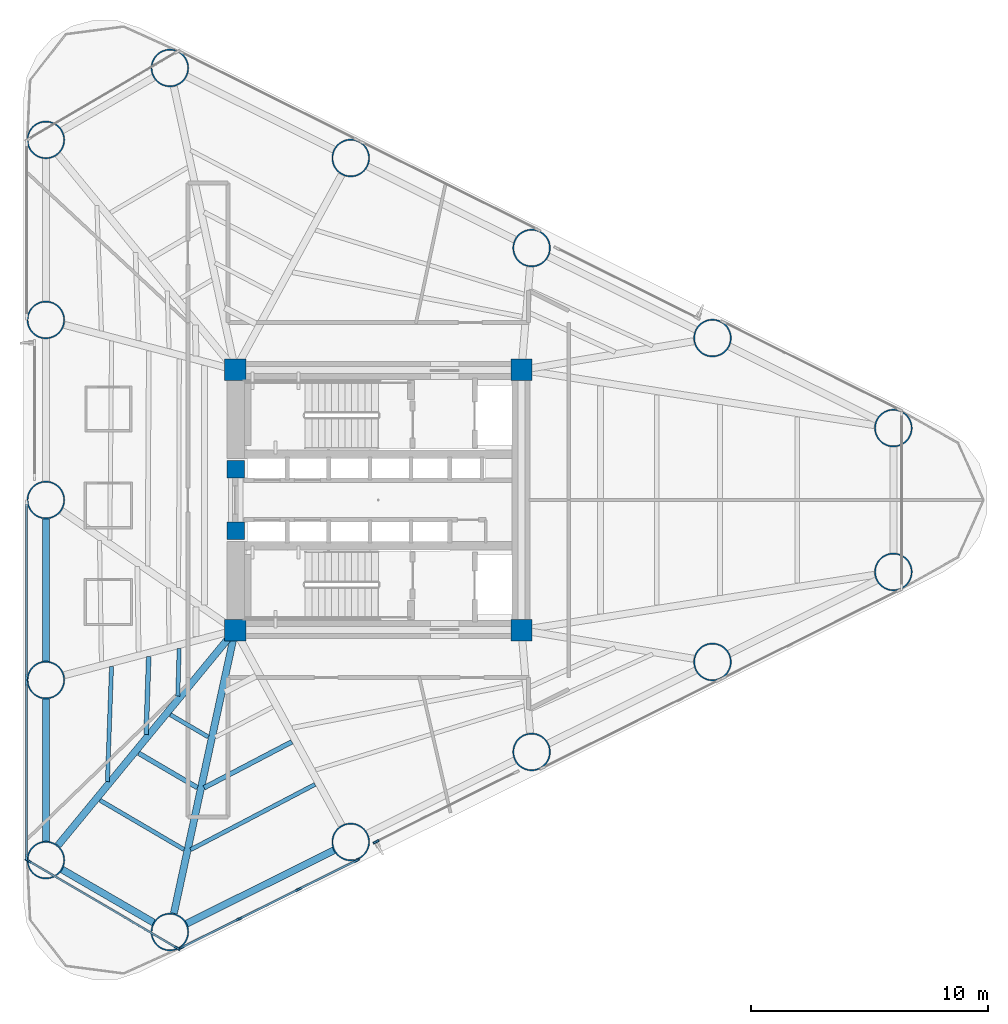
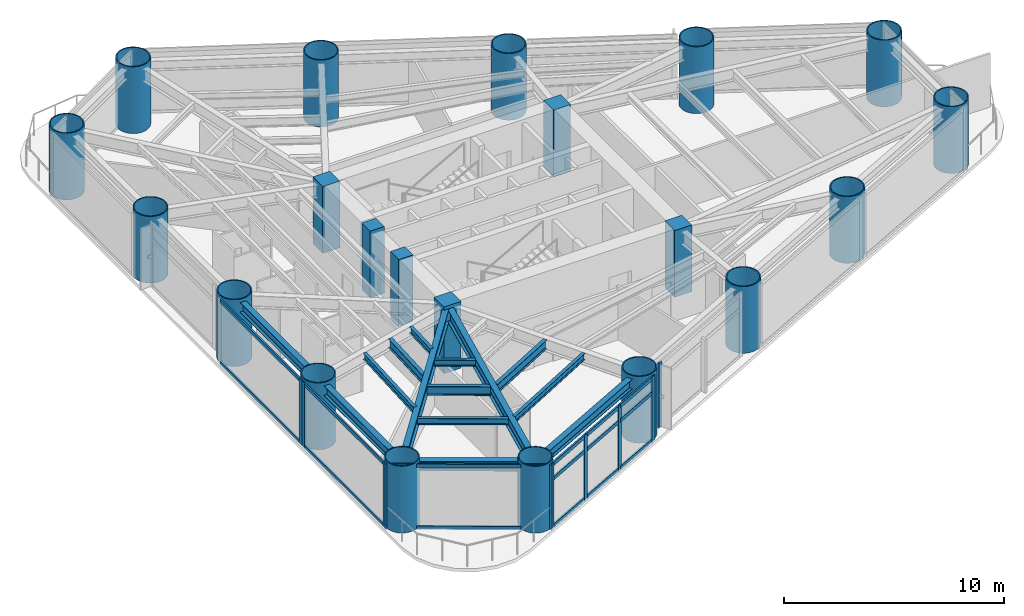
# One storey, part 1 of 10: 25 members, 21 columns, 14 beams, 5 elements without a shape of their own.
"""IFC4 building model written with IfcOpenShell, lengths in metres."""

from ifc_helpers import new_model, si_unit, direction, frame, origin, origin_2d, place, context, subcontext, project, spatial, rectangle, hollow_circle, i_section, extrude, source, transform, mapped, material, layer, layer_set, material_profile, profile_set, type_object, element, aggregate, save


model = new_model("IFC4")

# Units and contexts
model_context = context("Model", 3, precision=1e-05, world=origin(), true_north=direction((0.0, 1.0)))
body_context = subcontext(model_context, "Body", "Model", "MODEL_VIEW")
ifc_project = project(units=[si_unit("LENGTHUNIT", "METRE"), si_unit("AREAUNIT", "SQUARE_METRE"), si_unit("VOLUMEUNIT", "CUBIC_METRE"), si_unit("PLANEANGLEUNIT", "RADIAN"), si_unit("MASSUNIT", "GRAM", prefix="KILO")], contexts=[model_context])

# Site, building, storey
site_placement = place(None, origin())
site = spatial("IfcSite", under=ifc_project, at=site_placement, CompositionType="ELEMENT")
building_placement = place(site_placement, origin())
building = spatial("IfcBuilding", under=site, at=building_placement, Name="Yunling Apex Tower", CompositionType="ELEMENT")
storey_placement = place(building_placement, frame((0.0, 0.0, 27.5)))
storey = spatial("IfcBuildingStorey", under=building, at=storey_placement, Name="L08", CompositionType="ELEMENT", Elevation=27.5)

# Columns
ifc_material_1 = material(Name="Concrete C60", Category="concrete")
ifc_material_profile_1 = material_profile(ifc_material_1, rectangle(XDim=0.89990234375, YDim=0.89990234375, at=origin_2d()))
ifc_profile_set_1 = profile_set([ifc_material_profile_1], Name="Concrete C60")
column_type_1 = type_object("IfcColumnType", Name="PC-SRC-3", PredefinedType="COLUMN", material=ifc_profile_set_1)
shared_shape_1 = source(origin(), body_context, "Body", "SweptSolid", [
    extrude(rectangle(XDim=0.89990234375, YDim=0.89990234375, at=origin_2d()), origin(), (0.0, 0.0, 1.0), 3.699951171875),
])
for number, where, z_axis, x_axis, name in (
    (1, (-6.050048828125, -5.5, 0.0), (0.0, 0.0, 1.0), (1.0, 0.0, 0.0), "L08 Core Spine Column CC-SW"),
    (2, (6.050048828125, -5.5, 0.0), (0.0, 0.0, 1.0), (1.0, 0.0, 0.0), "L08 Core Spine Column CC-SE"),
    (3, (6.050048828125, 5.5, 0.0), (0.0, 0.0, 1.0), (1.0, 0.0, 0.0), "L08 Core Spine Column CC-NE"),
    (4, (-6.050048828125, 5.5, 0.0), (0.0, 0.0, 1.0), (1.0, 0.0, 0.0), "L08 Core Spine Column CC-NW"),
):
    element("IfcColumn", number, at=place(storey_placement, frame(where, z_axis=z_axis, x_axis=x_axis)), inside=storey, type_object=column_type_1, Name=name, PredefinedType="COLUMN", context=body_context, shape_type="MappedRepresentation", body=[
        mapped(shared_shape_1, transform((0.0, 0.0, 0.0), scale=1.0)),
    ])
ifc_material_2 = material(Name="Concrete C50", Category="concrete")
ifc_material_profile_2 = material_profile(ifc_material_2, rectangle(XDim=0.75, YDim=0.75, at=origin_2d()))
ifc_profile_set_2 = profile_set([ifc_material_profile_2], Name="Concrete C50")
column_type_2 = type_object("IfcColumnType", Name="PC-SRC-4", PredefinedType="COLUMN", material=ifc_profile_set_2)
shared_shape_2 = source(origin(), body_context, "Body", "SweptSolid", [
    extrude(rectangle(XDim=0.75, YDim=0.75, at=origin_2d()), origin(), (0.0, 0.0, 1.0), 3.699951171875),
])
for number, where, z_axis, x_axis, name in (
    (5, (-6.02490234375, -1.300048828125, 0.0), (0.0, 0.0, 1.0), (1.0, 0.0, 0.0), "L08 Core West Portal Jamb Column S"),
    (6, (-6.02490234375, 1.300048828125, 0.0), (0.0, 0.0, 1.0), (1.0, 0.0, 0.0), "L08 Core West Portal Jamb Column N"),
):
    element("IfcColumn", number, at=place(storey_placement, frame(where, z_axis=z_axis, x_axis=x_axis)), inside=storey, type_object=column_type_2, Name=name, PredefinedType="COLUMN", context=body_context, shape_type="MappedRepresentation", body=[
        mapped(shared_shape_2, transform((0.0, 0.0, 0.0), scale=1.0)),
    ])
ifc_material_3 = material(Name="Steel Q390GJC", Category="steel")
ifc_material_profile_3 = material_profile(ifc_material_3, hollow_circle(Radius=0.800048828125, WallThickness=0.054931640625, at=origin_2d()))
ifc_profile_set_3 = profile_set([ifc_material_profile_3], Name="Steel Q390GJC")
column_type_3 = type_object("IfcColumnType", Name="MC-CFST-1", PredefinedType="COLUMN", material=ifc_profile_set_3)
shared_shape_3 = source(origin(), body_context, "Body", "SweptSolid", [
    extrude(hollow_circle(Radius=0.800048828125, WallThickness=0.054931640625, at=origin_2d()), origin(), (0.0, 0.0, 1.0), 3.699951171875),
])
for number, where, z_axis, x_axis, name in (
    (7, (-8.8115234375, -18.2578125, 0.0), (0.0, 0.0, 1.0), (1.0, 0.0, 0.0), "L08 Perimeter CFST Mega-Column P01"),
    (8, (-1.1669921875, -14.453125, 0.0), (0.0, 0.0, 1.0), (1.0, 0.0, 0.0), "L08 Perimeter CFST Mega-Column P02"),
    (9, (6.477294921875, -10.648193359375, 0.0), (0.0, 0.0, 1.0), (1.0, 0.0, 0.0), "L08 Perimeter CFST Mega-Column P03"),
    (10, (14.121826171875, -6.843505859375, 0.0), (0.0, 0.0, 1.0), (1.0, 0.0, 0.0), "L08 Perimeter CFST Mega-Column P04"),
    (11, (21.76611328125, -3.038818359375, 0.0), (0.0, 0.0, 1.0), (1.0, 0.0, 0.0), "L08 Perimeter CFST Mega-Column P05"),
    (12, (21.76611328125, 3.038818359375, 0.0), (0.0, 0.0, 1.0), (1.0, 0.0, 0.0), "L08 Perimeter CFST Mega-Column P06"),
    (13, (14.121826171875, 6.843505859375, 0.0), (0.0, 0.0, 1.0), (1.0, 0.0, 0.0), "L08 Perimeter CFST Mega-Column P07"),
    (14, (6.477294921875, 10.648193359375, 0.0), (0.0, 0.0, 1.0), (1.0, 0.0, 0.0), "L08 Perimeter CFST Mega-Column P08"),
    (15, (-1.1669921875, 14.453125, 0.0), (0.0, 0.0, 1.0), (1.0, 0.0, 0.0), "L08 Perimeter CFST Mega-Column P09"),
    (16, (-8.8115234375, 18.2578125, 0.0), (0.0, 0.0, 1.0), (1.0, 0.0, 0.0), "L08 Perimeter CFST Mega-Column P10"),
    (17, (-14.052001953125, 15.218994140625, 0.0), (0.0, 0.0, 1.0), (1.0, 0.0, 0.0), "L08 Perimeter CFST Mega-Column P11"),
    (18, (-14.052001953125, 7.609619140625, 0.0), (0.0, 0.0, 1.0), (1.0, 0.0, 0.0), "L08 Perimeter CFST Mega-Column P12"),
    (19, (-14.052001953125, 0.0, 0.0), (0.0, 0.0, 1.0), (1.0, 0.0, 0.0), "L08 Perimeter CFST Mega-Column P13"),
    (20, (-14.052001953125, -7.609619140625, 0.0), (0.0, 0.0, 1.0), (1.0, 0.0, 0.0), "L08 Perimeter CFST Mega-Column P14"),
    (21, (-14.052001953125, -15.218994140625, 0.0), (0.0, 0.0, 1.0), (1.0, 0.0, 0.0), "L08 Perimeter CFST Mega-Column P15"),
):
    element("IfcColumn", number, at=place(storey_placement, frame(where, z_axis=z_axis, x_axis=x_axis)), inside=storey, type_object=column_type_3, Name=name, PredefinedType="COLUMN", context=body_context, shape_type="MappedRepresentation", body=[
        mapped(shared_shape_3, transform((0.0, 0.0, 0.0), scale=1.0)),
    ])

# Beams
ifc_material_4 = material(Name="Steel Q355B", Category="steel")
ifc_material_profile_4 = material_profile(ifc_material_4, i_section(OverallWidth=0.300048828125, OverallDepth=0.5400390625, WebThickness=0.011962890625, FlangeThickness=0.02001953125, FilletRadius=0.02392578125, at=origin_2d()))
ifc_profile_set_4 = profile_set([ifc_material_profile_4], Name="Steel Q355B")
beam_type_1 = type_object("IfcBeamType", Name="BP-SPN-1", PredefinedType="SPANDREL", material=ifc_profile_set_4)
shared_shape_4 = source(origin(), body_context, "Body", "SweptSolid", [
    extrude(i_section(OverallWidth=0.300048828125, OverallDepth=0.5400390625, WebThickness=0.011962890625, FlangeThickness=0.02001953125, FilletRadius=0.02392578125, at=origin_2d()), origin(), (0.0, 0.0, 1.0), 6.950927734375),
])
beam_1_placement = place(storey_placement, frame((-8.1005859375, -17.904052734375, 3.2451171875), z_axis=(0.89524058306, 0.445583099368, 0.0), x_axis=(-0.445583099368, 0.89524058306, 0.0)))
element("IfcBeam", 22, at=beam_1_placement, inside=storey, type_object=beam_type_1, Name="L08 Perimeter Spandrel Beam 1", PredefinedType="SPANDREL", context=body_context, shape_type="MappedRepresentation", body=[
    mapped(shared_shape_4, transform((0.0, 0.0, 0.0), scale=1.0)),
])
shared_shape_5 = source(origin(), body_context, "Body", "SweptSolid", [
    extrude(i_section(OverallWidth=0.300048828125, OverallDepth=0.5400390625, WebThickness=0.011962890625, FlangeThickness=0.02001953125, FilletRadius=0.02392578125, at=origin_2d()), origin(), (0.0, 0.0, 1.0), 4.469970703125),
])
beam_2_placement = place(storey_placement, frame((-13.364990234375, -15.6171875, 3.2451171875), z_axis=(0.865055841155, -0.501675584102, 0.0), x_axis=(0.501675584102, 0.865055841155, 0.0)))
element("IfcBeam", 23, at=beam_2_placement, inside=storey, type_object=beam_type_1, Name="L08 Perimeter Spandrel Beam 15", PredefinedType="SPANDREL", context=body_context, shape_type="MappedRepresentation", body=[
    mapped(shared_shape_5, transform((0.0, 0.0, 0.0), scale=1.0)),
])
shared_shape_6 = source(origin(), body_context, "Body", "SweptSolid", [
    extrude(i_section(OverallWidth=0.300048828125, OverallDepth=0.5400390625, WebThickness=0.011962890625, FlangeThickness=0.02001953125, FilletRadius=0.02392578125, at=origin_2d()), origin(), (0.0, 0.0, 1.0), 6.021240234375),
])
beam_3_placement = place(storey_placement, frame((-14.052001953125, -8.403564453125, 3.2451171875), z_axis=(0.0, -1.0, 0.0), x_axis=(1.0, 0.0, 0.0)))
element("IfcBeam", 24, at=beam_3_placement, inside=storey, type_object=beam_type_1, Name="L08 Perimeter Spandrel Beam 14", PredefinedType="SPANDREL", context=body_context, shape_type="MappedRepresentation", body=[
    mapped(shared_shape_6, transform((0.0, 0.0, 0.0), scale=1.0)),
])
shared_shape_7 = source(origin(), body_context, "Body", "SweptSolid", [
    extrude(i_section(OverallWidth=0.300048828125, OverallDepth=0.5400390625, WebThickness=0.011962890625, FlangeThickness=0.02001953125, FilletRadius=0.02392578125, at=origin_2d()), origin(), (0.0, 0.0, 1.0), 6.021484375),
])
beam_4_placement = place(storey_placement, frame((-14.052001953125, -0.7939453125, 3.2451171875), z_axis=(0.0, -1.0, 0.0), x_axis=(1.0, 0.0, 0.0)))
element("IfcBeam", 25, at=beam_4_placement, inside=storey, type_object=beam_type_1, Name="L08 Perimeter Spandrel Beam 13", PredefinedType="SPANDREL", context=body_context, shape_type="MappedRepresentation", body=[
    mapped(shared_shape_7, transform((0.0, 0.0, 0.0), scale=1.0)),
])
ifc_material_profile_5 = material_profile(ifc_material_4, i_section(OverallWidth=0.300048828125, OverallDepth=0.699951171875, WebThickness=0.012939453125, FlangeThickness=0.02392578125, FilletRadius=0.02587890625, at=origin_2d()))
ifc_profile_set_5 = profile_set([ifc_material_profile_5], Name="Steel Q355B")
beam_type_2 = type_object("IfcBeamType", Name="BG-PRI-3", PredefinedType="USERDEFINED", material=ifc_profile_set_5)
shared_shape_8 = source(origin(), body_context, "Body", "SweptSolid", [
    extrude(i_section(OverallWidth=0.300048828125, OverallDepth=0.699951171875, WebThickness=0.012939453125, FlangeThickness=0.02392578125, FilletRadius=0.02587890625, at=origin_2d()), origin(), (0.0, 0.0, 1.0), 12.165283203125),
])
beam_5_placement = place(storey_placement, frame((-8.640625, -17.468017578125, 3.1650390625), z_axis=(0.2115638914, 0.977364169517, 0.0), x_axis=(-0.977364169517, 0.2115638914, 0.0)))
element("IfcBeam", 26, at=beam_5_placement, inside=storey, type_object=beam_type_2, Name="L08 Radial Primary Girder R01", ObjectType="GIRDER", PredefinedType="USERDEFINED", context=body_context, shape_type="MappedRepresentation", body=[
    mapped(shared_shape_8, transform((0.0, 0.0, 0.0), scale=1.0)),
])
shared_shape_9 = source(origin(), body_context, "Body", "SweptSolid", [
    extrude(i_section(OverallWidth=0.300048828125, OverallDepth=0.699951171875, WebThickness=0.012939453125, FlangeThickness=0.02392578125, FilletRadius=0.02587890625, at=origin_2d()), origin(), (0.0, 0.0, 1.0), 11.701171875),
])
beam_6_placement = place(storey_placement, frame((-13.538330078125, -14.59521484375, 3.1650390625), z_axis=(0.635615100524, 0.772006116547, 0.0), x_axis=(-0.772006116547, 0.635615100524, 0.0)))
element("IfcBeam", 27, at=beam_6_placement, inside=storey, type_object=beam_type_2, Name="L08 Radial Primary Girder R15", ObjectType="GIRDER", PredefinedType="USERDEFINED", context=body_context, shape_type="MappedRepresentation", body=[
    mapped(shared_shape_9, transform((0.0, 0.0, 0.0), scale=1.0)),
])
ifc_material_profile_6 = material_profile(ifc_material_4, i_section(OverallWidth=0.199951171875, OverallDepth=0.5, WebThickness=0.010009765625, FlangeThickness=0.01611328125, FilletRadius=0.02001953125, at=origin_2d()))
ifc_profile_set_6 = profile_set([ifc_material_profile_6], Name="Steel Q355B")
beam_type_3 = type_object("IfcBeamType", Name="BS-SEC-2", PredefinedType="BEAM", material=ifc_profile_set_6)
shared_shape_10 = source(origin(), body_context, "Body", "SweptSolid", [
    extrude(i_section(OverallWidth=0.199951171875, OverallDepth=0.5, WebThickness=0.010009765625, FlangeThickness=0.01611328125, FilletRadius=0.02001953125, at=origin_2d()), origin(), (0.0, 0.0, 1.0), 4.186279296875),
])
beam_7_placement = place(storey_placement, frame((-7.366455078125, -12.162353515625, 3.264892578125), z_axis=(0.886028927656, 0.463629959512, 0.0), x_axis=(-0.463629959512, 0.886028927656, 0.0)))
element("IfcBeam", 28, at=beam_7_placement, inside=storey, type_object=beam_type_3, Name="L08 Composite Floor Beam BS-1", PredefinedType="BEAM", context=body_context, shape_type="MappedRepresentation", body=[
    mapped(shared_shape_10, transform((0.0, 0.0, 0.0), scale=1.0)),
])
ifc_material_profile_7 = material_profile(ifc_material_4, i_section(OverallWidth=0.175048828125, OverallDepth=0.35009765625, WebThickness=0.007080078125, FlangeThickness=0.010986328125, FilletRadius=0.013916015625, at=origin_2d()))
ifc_profile_set_7 = profile_set([ifc_material_profile_7], Name="Steel Q355B")
beam_type_4 = type_object("IfcBeamType", Name="BJ-JST-1", PredefinedType="JOIST", material=ifc_profile_set_7)
shared_shape_11 = source(origin(), body_context, "Body", "SweptSolid", [
    extrude(i_section(OverallWidth=0.175048828125, OverallDepth=0.35009765625, WebThickness=0.007080078125, FlangeThickness=0.010986328125, FilletRadius=0.013916015625, at=origin_2d()), origin(), (0.0, 0.0, 1.0), 5.935791015625),
])
beam_8_placement = place(storey_placement, frame((-7.9326171875, -14.778076171875, 3.340087890625), z_axis=(0.885494794786, 0.464649296144, 0.0), x_axis=(-0.464649296144, 0.885494794786, 0.0)))
element("IfcBeam", 29, at=beam_8_placement, inside=storey, type_object=beam_type_4, Name="L08 Composite Floor Joist BJ1-1", PredefinedType="JOIST", context=body_context, shape_type="MappedRepresentation", body=[
    mapped(shared_shape_11, transform((0.0, 0.0, 0.0), scale=1.0)),
])
shared_shape_12 = source(origin(), body_context, "Body", "SweptSolid", [
    extrude(i_section(OverallWidth=0.199951171875, OverallDepth=0.5, WebThickness=0.010009765625, FlangeThickness=0.01611328125, FilletRadius=0.02001953125, at=origin_2d()), origin(), (0.0, 0.0, 1.0), 3.29833984375),
])
beam_9_placement = place(storey_placement, frame((-9.704345703125, -6.621826171875, 3.264892578125), z_axis=(-0.033307436794, -0.9994451534, 0.0), x_axis=(0.9994451534, -0.033307436794, 0.0)))
element("IfcBeam", 30, at=beam_9_placement, inside=storey, type_object=beam_type_3, Name="L08 Composite Floor Beam BS-14", PredefinedType="BEAM", context=body_context, shape_type="MappedRepresentation", body=[
    mapped(shared_shape_12, transform((0.0, 0.0, 0.0), scale=1.0)),
])
shared_shape_13 = source(origin(), body_context, "Body", "SweptSolid", [
    extrude(i_section(OverallWidth=0.175048828125, OverallDepth=0.35009765625, WebThickness=0.007080078125, FlangeThickness=0.010986328125, FilletRadius=0.013916015625, at=origin_2d()), origin(), (0.0, 0.0, 1.0), 4.873046875),
])
beam_10_placement = place(storey_placement, frame((-11.2763671875, -7.0361328125, 3.340087890625), z_axis=(-0.035671873065, -0.999363556206, 0.0), x_axis=(0.999363556206, -0.035671873065, 0.0)))
element("IfcBeam", 31, at=beam_10_placement, inside=storey, type_object=beam_type_4, Name="L08 Composite Floor Joist BJ1-14", PredefinedType="JOIST", context=body_context, shape_type="MappedRepresentation", body=[
    mapped(shared_shape_13, transform((0.0, 0.0, 0.0), scale=1.0)),
])
shared_shape_14 = source(origin(), body_context, "Body", "SweptSolid", [
    extrude(i_section(OverallWidth=0.175048828125, OverallDepth=0.35009765625, WebThickness=0.007080078125, FlangeThickness=0.010986328125, FilletRadius=0.013916015625, at=origin_2d()), origin(), (0.0, 0.0, 1.0), 2.01025390625),
])
beam_11_placement = place(storey_placement, frame((-8.41796875, -6.282958984375, 3.340087890625), z_axis=(-0.029024336113, -0.999578705212, 0.0), x_axis=(0.999578705212, -0.029024336113, 0.0)))
element("IfcBeam", 32, at=beam_11_placement, inside=storey, type_object=beam_type_4, Name="L08 Composite Floor Joist BJ3-14", PredefinedType="JOIST", context=body_context, shape_type="MappedRepresentation", body=[
    mapped(shared_shape_14, transform((0.0, 0.0, 0.0), scale=1.0)),
])
shared_shape_15 = source(origin(), body_context, "Body", "SweptSolid", [
    extrude(i_section(OverallWidth=0.199951171875, OverallDepth=0.5, WebThickness=0.010009765625, FlangeThickness=0.01611328125, FilletRadius=0.02001953125, at=origin_2d()), origin(), (0.0, 0.0, 1.0), 2.876220703125),
])
beam_12_placement = place(storey_placement, frame((-10.127685546875, -10.701416015625, 3.264892578125), z_axis=(0.862779689624, -0.505580069992, 0.0), x_axis=(0.505580069992, 0.862779689624, 0.0)))
element("IfcBeam", 33, at=beam_12_placement, inside=storey, type_object=beam_type_3, Name="L08 Composite Floor Beam BS-15", PredefinedType="BEAM", context=body_context, shape_type="MappedRepresentation", body=[
    mapped(shared_shape_15, transform((0.0, 0.0, 0.0), scale=1.0)),
])
shared_shape_16 = source(origin(), body_context, "Body", "SweptSolid", [
    extrude(i_section(OverallWidth=0.175048828125, OverallDepth=0.35009765625, WebThickness=0.007080078125, FlangeThickness=0.010986328125, FilletRadius=0.013916015625, at=origin_2d()), origin(), (0.0, 0.0, 1.0), 4.117431640625),
])
beam_13_placement = place(storey_placement, frame((-11.76416015625, -12.688720703125, 3.340087890625), z_axis=(0.86262392079, -0.505845797928, 0.0), x_axis=(0.505845797928, 0.86262392079, 0.0)))
element("IfcBeam", 34, at=beam_13_placement, inside=storey, type_object=beam_type_4, Name="L08 Composite Floor Joist BJ1-15", PredefinedType="JOIST", context=body_context, shape_type="MappedRepresentation", body=[
    mapped(shared_shape_16, transform((0.0, 0.0, 0.0), scale=1.0)),
])
shared_shape_17 = source(origin(), body_context, "Body", "SweptSolid", [
    extrude(i_section(OverallWidth=0.175048828125, OverallDepth=0.35009765625, WebThickness=0.007080078125, FlangeThickness=0.010986328125, FilletRadius=0.013916015625, at=origin_2d()), origin(), (0.0, 0.0, 1.0), 1.86083984375),
])
beam_14_placement = place(storey_placement, frame((-8.7890625, -9.0751953125, 3.340087890625), z_axis=(0.862987962162, -0.505224481953, 0.0), x_axis=(0.505224481953, 0.862987962162, 0.0)))
element("IfcBeam", 35, at=beam_14_placement, inside=storey, type_object=beam_type_4, Name="L08 Composite Floor Joist BJ3-15", PredefinedType="JOIST", context=body_context, shape_type="MappedRepresentation", body=[
    mapped(shared_shape_17, transform((0.0, 0.0, 0.0), scale=1.0)),
])

# Curtain wall, members
ifc_material_5 = material(Name="Bronze anodised aluminium", Category="aluminium")
ifc_layer = layer(ifc_material_5, 0.260009765625)
ifc_layer_set = layer_set([ifc_layer], Name="Bronze anodised aluminium")
curtain_wall_type = type_object("IfcCurtainWallType", Name="CW-SYS-2", PredefinedType="NOTDEFINED", material=ifc_layer_set)
curtain_wall_1_placement = place(storey_placement, origin())
curtain_wall_1 = element("IfcCurtainWall", 36, at=curtain_wall_1_placement, inside=storey, type_object=curtain_wall_type, Name="CW-L08-F1-B1", PredefinedType="NOTDEFINED")
ifc_material_profile_8 = material_profile(ifc_material_5, rectangle(XDim=0.0849609375, YDim=0.260009765625, at=origin_2d()))
ifc_profile_set_8 = profile_set([ifc_material_profile_8], Name="Bronze anodised aluminium")
member_type_1 = type_object("IfcMemberType", Name="CW-MUL-2", PredefinedType="MULLION", material=ifc_profile_set_8)
shared_shape_18 = source(origin(), body_context, "Body", "SweptSolid", [
    extrude(rectangle(XDim=0.0849609375, YDim=0.260009765625, at=origin_2d()), origin(), (0.0, 0.0, 1.0), 3.614990234375),
])
member_1_placement = place(storey_placement, frame((-8.341064453125, -18.928466796875, -0.050048828125), z_axis=(0.0, 0.0, 1.0), x_axis=(-0.445570625003, 0.895246791748, 0.0)))
member_1 = element("IfcMember", 37, at=member_1_placement, type_object=member_type_1, Name="CW-SYS-2 mullion 1", PredefinedType="MULLION", context=body_context, shape_type="MappedRepresentation", body=[
    mapped(shared_shape_18, transform((0.0, 0.0, 0.0), scale=1.0)),
])
member_2_placement = place(storey_placement, frame((-5.878662109375, -17.702880859375, -0.050048828125), z_axis=(0.0, 0.0, 1.0), x_axis=(-0.445570625003, 0.895246791748, 0.0)))
member_2 = element("IfcMember", 38, at=member_2_placement, type_object=member_type_1, Name="CW-SYS-2 mullion 2", PredefinedType="MULLION", context=body_context, shape_type="MappedRepresentation", body=[
    mapped(shared_shape_18, transform((0.0, 0.0, 0.0), scale=1.0)),
])
member_3_placement = place(storey_placement, frame((-3.378173828125, -16.458251953125, -0.050048828125), z_axis=(0.0, 0.0, 1.0), x_axis=(-0.445570625003, 0.895246791748, 0.0)))
member_3 = element("IfcMember", 39, at=member_3_placement, type_object=member_type_1, Name="CW-SYS-2 mullion 3", PredefinedType="MULLION", context=body_context, shape_type="MappedRepresentation", body=[
    mapped(shared_shape_18, transform((0.0, 0.0, 0.0), scale=1.0)),
])
member_4_placement = place(storey_placement, frame((-0.915771484375, -15.23291015625, -0.050048828125), z_axis=(0.0, 0.0, 1.0), x_axis=(-0.445570625003, 0.895246791748, 0.0)))
member_4 = element("IfcMember", 40, at=member_4_placement, type_object=member_type_1, Name="CW-SYS-2 mullion 4", PredefinedType="MULLION", context=body_context, shape_type="MappedRepresentation", body=[
    mapped(shared_shape_18, transform((0.0, 0.0, 0.0), scale=1.0)),
])

# Curtain wall, member
curtain_wall_2_placement = place(storey_placement, origin())
curtain_wall_2 = element("IfcCurtainWall", 41, at=curtain_wall_2_placement, inside=storey, type_object=curtain_wall_type, Name="CW-L08-F1-B2", PredefinedType="NOTDEFINED")
member_5_placement = place(storey_placement, frame((-0.095947265625, -14.445068359375, -0.050048828125), z_axis=(0.0, 0.0, 1.0), x_axis=(-0.445582781121, 0.895240741459, 0.0)))
member_5 = element("IfcMember", 42, at=member_5_placement, type_object=member_type_1, Name="CW-SYS-2 mullion 1", PredefinedType="MULLION", context=body_context, shape_type="MappedRepresentation", body=[
    mapped(shared_shape_18, transform((0.0, 0.0, 0.0), scale=1.0)),
])
aggregate(curtain_wall_2, [member_5])

curtain_wall_3_placement = place(storey_placement, origin())
curtain_wall_3 = element("IfcCurtainWall", 43, at=curtain_wall_3_placement, inside=storey, type_object=curtain_wall_type, Name="CW-L08-F3-B3", PredefinedType="NOTDEFINED")
member_6_placement = place(storey_placement, frame((-14.862060546875, -7.487060546875, -0.050048828125), z_axis=(0.0, 0.0, 1.0), x_axis=(1.0, 0.0, 0.0)))
member_6 = element("IfcMember", 44, at=member_6_placement, type_object=member_type_1, Name="CW-SYS-2 mullion 2", PredefinedType="MULLION", context=body_context, shape_type="MappedRepresentation", body=[
    mapped(shared_shape_18, transform((0.0, 0.0, 0.0), scale=1.0)),
])

# Curtain wall, members
curtain_wall_4_placement = place(storey_placement, origin())
curtain_wall_4 = element("IfcCurtainWall", 45, at=curtain_wall_4_placement, inside=storey, type_object=curtain_wall_type, Name="CW-L08-F3-B4", PredefinedType="NOTDEFINED")
member_7_placement = place(storey_placement, frame((-14.862060546875, -7.73193359375, -0.050048828125), z_axis=(0.0, 0.0, 1.0), x_axis=(1.0, 0.0, 0.0)))
member_7 = element("IfcMember", 46, at=member_7_placement, type_object=member_type_1, Name="CW-SYS-2 mullion 1", PredefinedType="MULLION", context=body_context, shape_type="MappedRepresentation", body=[
    mapped(shared_shape_18, transform((0.0, 0.0, 0.0), scale=1.0)),
])
member_8_placement = place(storey_placement, frame((-14.862060546875, -15.096435546875, -0.050048828125), z_axis=(0.0, 0.0, 1.0), x_axis=(1.0, 0.0, 0.0)))
member_8 = element("IfcMember", 47, at=member_8_placement, type_object=member_type_1, Name="CW-SYS-2 mullion 2", PredefinedType="MULLION", context=body_context, shape_type="MappedRepresentation", body=[
    mapped(shared_shape_18, transform((0.0, 0.0, 0.0), scale=1.0)),
])

curtain_wall_5_placement = place(storey_placement, origin())
curtain_wall_5 = element("IfcCurtainWall", 48, at=curtain_wall_5_placement, inside=storey, type_object=curtain_wall_type, Name="CW-L08-CRN3", PredefinedType="NOTDEFINED")
member_9_placement = place(storey_placement, frame((-14.805419921875, -15.240478515625, -0.050048828125), z_axis=(0.0, 0.0, 1.0), x_axis=(0.506195543811, 0.86241873323, 0.0)))
member_9 = element("IfcMember", 49, at=member_9_placement, type_object=member_type_1, Name="CW-SYS-2 mullion 1", PredefinedType="MULLION", context=body_context, shape_type="MappedRepresentation", body=[
    mapped(shared_shape_18, transform((0.0, 0.0, 0.0), scale=1.0)),
])
member_10_placement = place(storey_placement, frame((-8.49609375, -18.943603515625, -0.050048828125), z_axis=(0.0, 0.0, 1.0), x_axis=(0.506195543811, 0.86241873323, 0.0)))
member_10 = element("IfcMember", 50, at=member_10_placement, type_object=member_type_1, Name="CW-SYS-2 mullion 2", PredefinedType="MULLION", context=body_context, shape_type="MappedRepresentation", body=[
    mapped(shared_shape_18, transform((0.0, 0.0, 0.0), scale=1.0)),
])

# Member
ifc_material_profile_9 = material_profile(ifc_material_5, rectangle(XDim=0.0849609375, YDim=0.199951171875, at=origin_2d()))
ifc_profile_set_9 = profile_set([ifc_material_profile_9], Name="Bronze anodised aluminium")
member_type_2 = type_object("IfcMemberType", Name="CW-TRN-2", PredefinedType="USERDEFINED", material=ifc_profile_set_9)
shared_shape_19 = source(origin(), body_context, "Body", "SweptSolid", [
    extrude(rectangle(XDim=0.0849609375, YDim=0.199951171875, at=origin_2d()), origin(), (0.0, 0.0, 1.0), 2.673828125),
])
member_11_placement = place(storey_placement, frame((-8.306640625, -18.911376953125, 0.04248046875), z_axis=(0.895247427801, 0.445569347034, 0.0), x_axis=(-0.445569347034, 0.895247427801, 0.0)))
member_11 = element("IfcMember", 51, at=member_11_placement, type_object=member_type_2, Name="CW-SYS-2 transom 1.1", ObjectType="TRANSOM", PredefinedType="USERDEFINED", context=body_context, shape_type="MappedRepresentation", body=[
    mapped(shared_shape_19, transform((0.0, 0.0, 0.0), scale=1.0)),
])

member_12_placement = place(storey_placement, frame((-8.306640625, -18.911376953125, 2.67138671875), z_axis=(0.895247427801, 0.445569347034, 0.0), x_axis=(-0.445569347034, 0.895247427801, 0.0)))
member_12 = element("IfcMember", 52, at=member_12_placement, type_object=member_type_2, Name="CW-SYS-2 transom 1.2", ObjectType="TRANSOM", PredefinedType="USERDEFINED", context=body_context, shape_type="MappedRepresentation", body=[
    mapped(shared_shape_19, transform((0.0, 0.0, 0.0), scale=1.0)),
])

member_13_placement = place(storey_placement, frame((-8.306640625, -18.911376953125, 3.472412109375), z_axis=(0.895247427801, 0.445569347034, 0.0), x_axis=(-0.445569347034, 0.895247427801, 0.0)))
member_13 = element("IfcMember", 53, at=member_13_placement, type_object=member_type_2, Name="CW-SYS-2 transom 1.3", ObjectType="TRANSOM", PredefinedType="USERDEFINED", context=body_context, shape_type="MappedRepresentation", body=[
    mapped(shared_shape_19, transform((0.0, 0.0, 0.0), scale=1.0)),
])

member_14_placement = place(storey_placement, frame((-3.343994140625, -16.44140625, 0.04248046875), z_axis=(0.895247427801, 0.445569347034, 0.0), x_axis=(-0.445569347034, 0.895247427801, 0.0)))
member_14 = element("IfcMember", 54, at=member_14_placement, type_object=member_type_2, Name="CW-SYS-2 transom 3.1", ObjectType="TRANSOM", PredefinedType="USERDEFINED", context=body_context, shape_type="MappedRepresentation", body=[
    mapped(shared_shape_19, transform((0.0, 0.0, 0.0), scale=1.0)),
])

member_15_placement = place(storey_placement, frame((-3.343994140625, -16.44140625, 2.67138671875), z_axis=(0.895247427801, 0.445569347034, 0.0), x_axis=(-0.445569347034, 0.895247427801, 0.0)))
member_15 = element("IfcMember", 55, at=member_15_placement, type_object=member_type_2, Name="CW-SYS-2 transom 3.2", ObjectType="TRANSOM", PredefinedType="USERDEFINED", context=body_context, shape_type="MappedRepresentation", body=[
    mapped(shared_shape_19, transform((0.0, 0.0, 0.0), scale=1.0)),
])

member_16_placement = place(storey_placement, frame((-3.343994140625, -16.44140625, 3.472412109375), z_axis=(0.895247427801, 0.445569347034, 0.0), x_axis=(-0.445569347034, 0.895247427801, 0.0)))
member_16 = element("IfcMember", 56, at=member_16_placement, type_object=member_type_2, Name="CW-SYS-2 transom 3.3", ObjectType="TRANSOM", PredefinedType="USERDEFINED", context=body_context, shape_type="MappedRepresentation", body=[
    mapped(shared_shape_19, transform((0.0, 0.0, 0.0), scale=1.0)),
])

shared_shape_20 = source(origin(), body_context, "Body", "SweptSolid", [
    extrude(rectangle(XDim=0.0849609375, YDim=0.199951171875, at=origin_2d()), origin(), (0.0, 0.0, 1.0), 2.716552734375),
])
member_17_placement = place(storey_placement, frame((-5.84423828125, -17.685791015625, 0.04248046875), z_axis=(0.895234593731, 0.445595132589, 0.0), x_axis=(-0.445595132589, 0.895234593731, 0.0)))
member_17 = element("IfcMember", 57, at=member_17_placement, type_object=member_type_2, Name="CW-SYS-2 transom 2.1", ObjectType="TRANSOM", PredefinedType="USERDEFINED", context=body_context, shape_type="MappedRepresentation", body=[
    mapped(shared_shape_20, transform((0.0, 0.0, 0.0), scale=1.0)),
])

member_18_placement = place(storey_placement, frame((-5.84423828125, -17.685791015625, 2.67138671875), z_axis=(0.895234593731, 0.445595132589, 0.0), x_axis=(-0.445595132589, 0.895234593731, 0.0)))
member_18 = element("IfcMember", 58, at=member_18_placement, type_object=member_type_2, Name="CW-SYS-2 transom 2.2", ObjectType="TRANSOM", PredefinedType="USERDEFINED", context=body_context, shape_type="MappedRepresentation", body=[
    mapped(shared_shape_20, transform((0.0, 0.0, 0.0), scale=1.0)),
])

member_19_placement = place(storey_placement, frame((-5.84423828125, -17.685791015625, 3.472412109375), z_axis=(0.895234593731, 0.445595132589, 0.0), x_axis=(-0.445595132589, 0.895234593731, 0.0)))
member_19 = element("IfcMember", 59, at=member_19_placement, type_object=member_type_2, Name="CW-SYS-2 transom 2.3", ObjectType="TRANSOM", PredefinedType="USERDEFINED", context=body_context, shape_type="MappedRepresentation", body=[
    mapped(shared_shape_20, transform((0.0, 0.0, 0.0), scale=1.0)),
])

aggregate(curtain_wall_1, [member_1, member_2, member_3, member_4, member_11, member_12, member_13, member_17, member_18, member_19, member_14, member_15, member_16])

shared_shape_21 = source(origin(), body_context, "Body", "SweptSolid", [
    extrude(rectangle(XDim=0.0849609375, YDim=0.199951171875, at=origin_2d()), origin(), (0.0, 0.0, 1.0), 7.239501953125),
])
member_20_placement = place(storey_placement, frame((-14.7724609375, -15.259765625, 0.04248046875), z_axis=(0.862419304353, -0.506194570772, 0.0), x_axis=(0.506194570772, 0.862419304353, 0.0)))
member_20 = element("IfcMember", 60, at=member_20_placement, type_object=member_type_2, Name="CW-SYS-2 transom 1.1", ObjectType="TRANSOM", PredefinedType="USERDEFINED", context=body_context, shape_type="MappedRepresentation", body=[
    mapped(shared_shape_21, transform((0.0, 0.0, 0.0), scale=1.0)),
])

member_21_placement = place(storey_placement, frame((-14.7724609375, -15.259765625, 3.472412109375), z_axis=(0.862419304353, -0.506194570772, 0.0), x_axis=(0.506194570772, 0.862419304353, 0.0)))
member_21 = element("IfcMember", 61, at=member_21_placement, type_object=member_type_2, Name="CW-SYS-2 transom 1.2", ObjectType="TRANSOM", PredefinedType="USERDEFINED", context=body_context, shape_type="MappedRepresentation", body=[
    mapped(shared_shape_21, transform((0.0, 0.0, 0.0), scale=1.0)),
])

aggregate(curtain_wall_5, [member_9, member_10, member_20, member_21])

shared_shape_22 = source(origin(), body_context, "Body", "SweptSolid", [
    extrude(rectangle(XDim=0.0849609375, YDim=0.199951171875, at=origin_2d()), origin(), (0.0, 0.0, 1.0), 7.287841796875),
])
member_22_placement = place(storey_placement, frame((-14.862060546875, -7.770263671875, 0.04248046875), z_axis=(0.0, -1.0, 0.0), x_axis=(1.0, 0.0, 0.0)))
member_22 = element("IfcMember", 62, at=member_22_placement, type_object=member_type_2, Name="CW-SYS-2 transom 1.1", ObjectType="TRANSOM", PredefinedType="USERDEFINED", context=body_context, shape_type="MappedRepresentation", body=[
    mapped(shared_shape_22, transform((0.0, 0.0, 0.0), scale=1.0)),
])

member_23_placement = place(storey_placement, frame((-14.862060546875, -7.770263671875, 3.472412109375), z_axis=(0.0, -1.0, 0.0), x_axis=(1.0, 0.0, 0.0)))
member_23 = element("IfcMember", 63, at=member_23_placement, type_object=member_type_2, Name="CW-SYS-2 transom 1.2", ObjectType="TRANSOM", PredefinedType="USERDEFINED", context=body_context, shape_type="MappedRepresentation", body=[
    mapped(shared_shape_22, transform((0.0, 0.0, 0.0), scale=1.0)),
])

aggregate(curtain_wall_4, [member_7, member_8, member_22, member_23])

shared_shape_23 = source(origin(), body_context, "Body", "SweptSolid", [
    extrude(rectangle(XDim=0.0849609375, YDim=0.199951171875, at=origin_2d()), origin(), (0.0, 0.0, 1.0), 7.2880859375),
])
member_24_placement = place(storey_placement, frame((-14.862060546875, -0.16064453125, 0.04248046875), z_axis=(0.0, -1.0, 0.0), x_axis=(1.0, 0.0, 0.0)))
member_24 = element("IfcMember", 64, at=member_24_placement, type_object=member_type_2, Name="CW-SYS-2 transom 1.1", ObjectType="TRANSOM", PredefinedType="USERDEFINED", context=body_context, shape_type="MappedRepresentation", body=[
    mapped(shared_shape_23, transform((0.0, 0.0, 0.0), scale=1.0)),
])

member_25_placement = place(storey_placement, frame((-14.862060546875, -0.16064453125, 3.472412109375), z_axis=(0.0, -1.0, 0.0), x_axis=(1.0, 0.0, 0.0)))
member_25 = element("IfcMember", 65, at=member_25_placement, type_object=member_type_2, Name="CW-SYS-2 transom 1.2", ObjectType="TRANSOM", PredefinedType="USERDEFINED", context=body_context, shape_type="MappedRepresentation", body=[
    mapped(shared_shape_23, transform((0.0, 0.0, 0.0), scale=1.0)),
])

aggregate(curtain_wall_3, [member_6, member_24, member_25])

save(model, "model.ifc")
